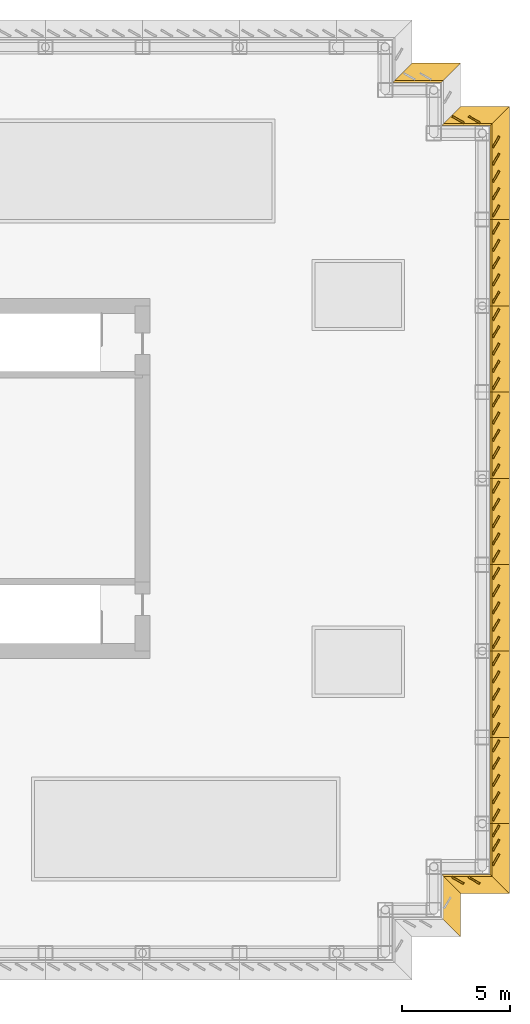
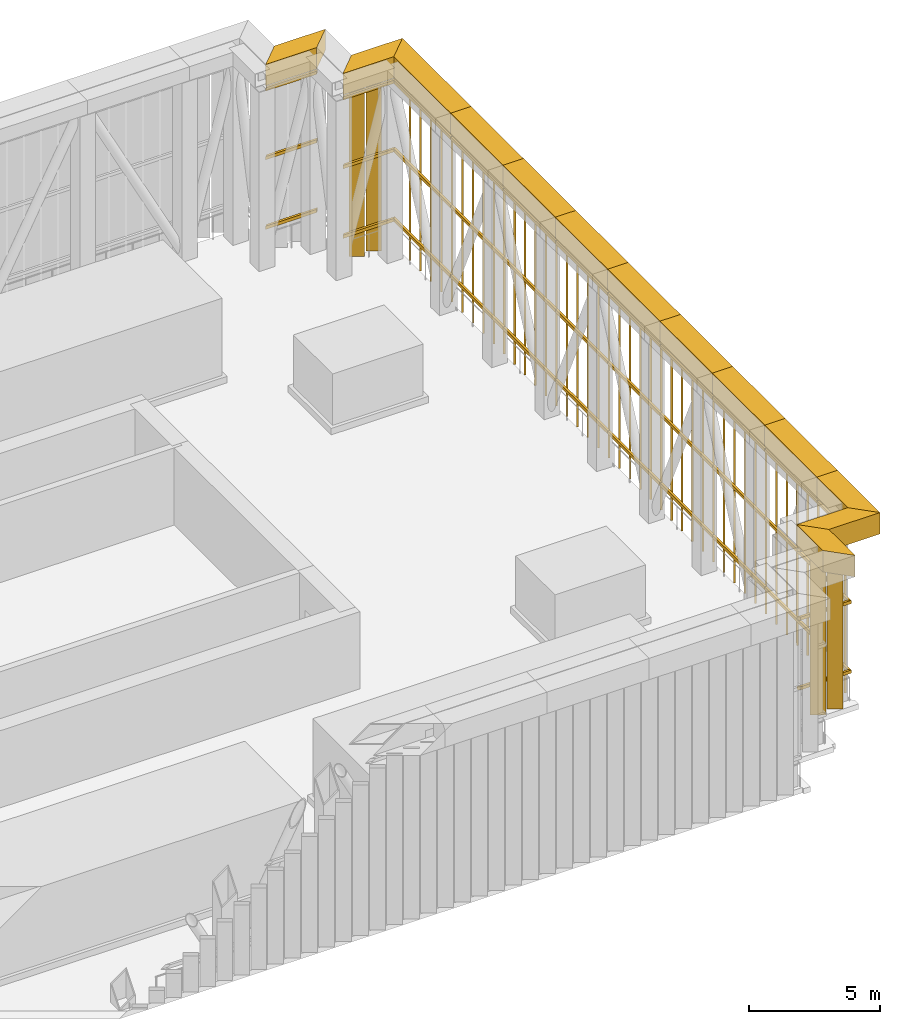
# One storey, part 9 of 11: 36 coverings.
"""IFC4 building model written with IfcOpenShell, lengths in metres."""

from ifc_helpers import new_model, si_unit, direction, frame, origin, place, context, subcontext, project, spatial, polyline, outline, extrude, material, layer, layer_set, type_object, element, save


model = new_model("IFC4")

# Units and contexts
model_context = context("Model", 3, precision=1e-05, world=origin(), true_north=direction((0.0, 1.0)))
body_context = subcontext(model_context, "Body", "Model", "MODEL_VIEW")
ifc_project = project(units=[si_unit("LENGTHUNIT", "METRE"), si_unit("AREAUNIT", "SQUARE_METRE"), si_unit("VOLUMEUNIT", "CUBIC_METRE"), si_unit("PLANEANGLEUNIT", "RADIAN"), si_unit("MASSUNIT", "GRAM", prefix="KILO")], contexts=[model_context])

# Site, building, storey
site_placement = place(None, origin())
site = spatial("IfcSite", under=ifc_project, at=site_placement, CompositionType="ELEMENT")
building_placement = place(site_placement, origin())
building = spatial("IfcBuilding", under=site, at=building_placement, Name="Rheinbord Bourse Tower", CompositionType="ELEMENT")
storey_placement = place(building_placement, frame((0.0, 0.0, 334.10009765625)))
storey = spatial("IfcBuildingStorey", under=building, at=storey_placement, Name="RF", CompositionType="ELEMENT", Elevation=334.10009765625)

# Coverings
ifc_material_1 = material(Name="Black aluminium coping on a steel frame", Category="steel")
ifc_layer_1 = layer(ifc_material_1, 1.0)
ifc_layer_set_1 = layer_set([ifc_layer_1], Name="CROWN CAP 900x1000")
covering_type_1 = type_object("IfcCoveringType", Name="CROWN CAP 900x1000", PredefinedType="USERDEFINED", material=ifc_layer_set_1)
covering_1_placement = place(storey_placement, frame((0.0, 0.0, 8.0)))
element("IfcCovering", 1, at=covering_1_placement, inside=storey, type_object=covering_type_1, Name="Crown cap SE-C-SE-B", ObjectType="COPING", PredefinedType="USERDEFINED", context=body_context, shape_type="SweptSolid", body=[
    extrude(outline(polyline([(67.85009765625, 3.64990234375), (67.85009765625, 5.64990234375), (68.75, 4.75), (68.75, 2.75), (67.85009765625, 3.64990234375)])), origin(), (0.0, 0.0, 1.0), 1.0),
])
covering_2_placement = place(storey_placement, frame((0.0, 0.0, 8.0)))
element("IfcCovering", 2, at=covering_2_placement, inside=storey, type_object=covering_type_1, Name="Crown cap SE-B-SE-A", ObjectType="COPING", PredefinedType="USERDEFINED", context=body_context, shape_type="SweptSolid", body=[
    extrude(outline(polyline([(67.85009765625, 5.64990234375), (70.10009765625, 5.64990234375), (71.0, 4.75), (68.75, 4.75), (67.85009765625, 5.64990234375)])), origin(), (0.0, 0.0, 1.0), 1.0),
])
covering_3_placement = place(storey_placement, frame((0.0, 0.0, 8.0)))
element("IfcCovering", 3, at=covering_3_placement, inside=storey, type_object=covering_type_1, Name="Crown cap SE-A-E-8", ObjectType="COPING", PredefinedType="USERDEFINED", context=body_context, shape_type="SweptSolid", body=[
    extrude(outline(polyline([(70.10009765625, 5.64990234375), (70.10009765625, 8.0), (71.0, 8.0), (71.0, 4.75), (70.10009765625, 5.64990234375)])), origin(), (0.0, 0.0, 1.0), 1.0),
])
covering_4_placement = place(storey_placement, frame((0.0, 0.0, 8.0)))
element("IfcCovering", 4, at=covering_4_placement, inside=storey, type_object=covering_type_1, Name="Crown cap E-8-E-12", ObjectType="COPING", PredefinedType="USERDEFINED", context=body_context, shape_type="SweptSolid", body=[
    extrude(outline(polyline([(70.10009765625, 8.0), (70.10009765625, 12.0), (71.0, 12.0), (71.0, 8.0), (70.10009765625, 8.0)])), origin(), (0.0, 0.0, 1.0), 1.0),
])
covering_5_placement = place(storey_placement, frame((0.0, 0.0, 8.0)))
element("IfcCovering", 5, at=covering_5_placement, inside=storey, type_object=covering_type_1, Name="Crown cap E-12-E-16", ObjectType="COPING", PredefinedType="USERDEFINED", context=body_context, shape_type="SweptSolid", body=[
    extrude(outline(polyline([(70.10009765625, 12.0), (70.10009765625, 16.0), (71.0, 16.0), (71.0, 12.0), (70.10009765625, 12.0)])), origin(), (0.0, 0.0, 1.0), 1.0),
])
covering_6_placement = place(storey_placement, frame((0.0, 0.0, 8.0)))
element("IfcCovering", 6, at=covering_6_placement, inside=storey, type_object=covering_type_1, Name="Crown cap E-16-E-20", ObjectType="COPING", PredefinedType="USERDEFINED", context=body_context, shape_type="SweptSolid", body=[
    extrude(outline(polyline([(70.10009765625, 16.0), (70.10009765625, 20.0), (71.0, 20.0), (71.0, 16.0), (70.10009765625, 16.0)])), origin(), (0.0, 0.0, 1.0), 1.0),
])
covering_7_placement = place(storey_placement, frame((0.0, 0.0, 8.0)))
element("IfcCovering", 7, at=covering_7_placement, inside=storey, type_object=covering_type_1, Name="Crown cap E-20-E-24", ObjectType="COPING", PredefinedType="USERDEFINED", context=body_context, shape_type="SweptSolid", body=[
    extrude(outline(polyline([(70.10009765625, 20.0), (70.10009765625, 24.0), (71.0, 24.0), (71.0, 20.0), (70.10009765625, 20.0)])), origin(), (0.0, 0.0, 1.0), 1.0),
])
covering_8_placement = place(storey_placement, frame((0.0, 0.0, 8.0)))
element("IfcCovering", 8, at=covering_8_placement, inside=storey, type_object=covering_type_1, Name="Crown cap E-24-E-28", ObjectType="COPING", PredefinedType="USERDEFINED", context=body_context, shape_type="SweptSolid", body=[
    extrude(outline(polyline([(70.10009765625, 24.0), (70.10009765625, 28.0), (71.0, 28.0), (71.0, 24.0), (70.10009765625, 24.0)])), origin(), (0.0, 0.0, 1.0), 1.0),
])
covering_9_placement = place(storey_placement, frame((0.0, 0.0, 8.0)))
element("IfcCovering", 9, at=covering_9_placement, inside=storey, type_object=covering_type_1, Name="Crown cap E-28-E-32", ObjectType="COPING", PredefinedType="USERDEFINED", context=body_context, shape_type="SweptSolid", body=[
    extrude(outline(polyline([(70.10009765625, 28.0), (70.10009765625, 32.0), (71.0, 32.0), (71.0, 28.0), (70.10009765625, 28.0)])), origin(), (0.0, 0.0, 1.0), 1.0),
])
covering_10_placement = place(storey_placement, frame((0.0, 0.0, 8.0)))
element("IfcCovering", 10, at=covering_10_placement, inside=storey, type_object=covering_type_1, Name="Crown cap E-32-E-36", ObjectType="COPING", PredefinedType="USERDEFINED", context=body_context, shape_type="SweptSolid", body=[
    extrude(outline(polyline([(70.10009765625, 32.0), (70.10009765625, 36.0), (71.0, 36.0), (71.0, 32.0), (70.10009765625, 32.0)])), origin(), (0.0, 0.0, 1.0), 1.0),
])
covering_11_placement = place(storey_placement, frame((0.0, 0.0, 8.0)))
element("IfcCovering", 11, at=covering_11_placement, inside=storey, type_object=covering_type_1, Name="Crown cap E-36-NE-A", ObjectType="COPING", PredefinedType="USERDEFINED", context=body_context, shape_type="SweptSolid", body=[
    extrude(outline(polyline([(70.10009765625, 36.0), (70.10009765625, 40.35009765625), (71.0, 41.25), (71.0, 36.0), (70.10009765625, 36.0)])), origin(), (0.0, 0.0, 1.0), 1.0),
])
covering_12_placement = place(storey_placement, frame((0.0, 0.0, 8.0)))
element("IfcCovering", 12, at=covering_12_placement, inside=storey, type_object=covering_type_1, Name="Crown cap NE-A-NE-B", ObjectType="COPING", PredefinedType="USERDEFINED", context=body_context, shape_type="SweptSolid", body=[
    extrude(outline(polyline([(70.10009765625, 40.35009765625), (67.85009765625, 40.35009765625), (68.75, 41.25), (71.0, 41.25), (70.10009765625, 40.35009765625)])), origin(), (0.0, 0.0, 1.0), 1.0),
])
covering_13_placement = place(storey_placement, frame((0.0, 0.0, 8.0)))
element("IfcCovering", 13, at=covering_13_placement, inside=storey, type_object=covering_type_1, Name="Crown cap NE-C-NE-D", ObjectType="COPING", PredefinedType="USERDEFINED", context=body_context, shape_type="SweptSolid", body=[
    extrude(outline(polyline([(67.85009765625, 42.35009765625), (65.60009765625, 42.35009765625), (66.5, 43.25), (68.75, 43.25), (67.85009765625, 42.35009765625)])), origin(), (0.0, 0.0, 1.0), 1.0),
])
ifc_material_2 = material(Name="Black anodised aluminium", Category="aluminium")
ifc_layer_2 = layer(ifc_material_2, 0.080078125)
ifc_layer_set_2 = layer_set([ifc_layer_2], Name="CROWN SCREEN BLADE 600x80")
covering_type_2 = type_object("IfcCoveringType", Name="CROWN SCREEN BLADE 600x80", PredefinedType="USERDEFINED", material=ifc_layer_set_2)
covering_14_placement = place(storey_placement, frame((0.0, 0.0, 0.0498046875)))
element("IfcCovering", 14, at=covering_14_placement, inside=storey, type_object=covering_type_2, Name="Crown screen blades SE-B-SE-A", ObjectType="LOUVRE", PredefinedType="USERDEFINED", context=body_context, shape_type="SweptSolid", body=[
    extrude(outline(polyline([(68.385009765625, 5.550048828125), (68.905029296875, 5.25), (68.864990234375, 5.180908203125), (68.344970703125, 5.48095703125), (68.385009765625, 5.550048828125)])), origin(), (0.0, 0.0, 1.0), 7.9501953125),
    extrude(outline(polyline([(69.135009765625, 5.550048828125), (69.655029296875, 5.25), (69.614990234375, 5.180908203125), (69.094970703125, 5.48095703125), (69.135009765625, 5.550048828125)])), origin(), (0.0, 0.0, 1.0), 7.9501953125),
])
covering_15_placement = place(storey_placement, frame((0.0, 0.0, 0.0498046875)))
element("IfcCovering", 15, at=covering_15_placement, inside=storey, type_object=covering_type_2, Name="Crown screen blades SE-A-E-8", ObjectType="LOUVRE", PredefinedType="USERDEFINED", context=body_context, shape_type="SweptSolid", body=[
    extrude(outline(polyline([(70.199951171875, 6.093994140625), (70.5, 6.613037109375), (70.569091796875, 6.572998046875), (70.26904296875, 6.053955078125), (70.199951171875, 6.093994140625)])), origin(), (0.0, 0.0, 1.0), 7.9501953125),
    extrude(outline(polyline([(70.199951171875, 6.760009765625), (70.5, 7.280029296875), (70.569091796875, 7.239990234375), (70.26904296875, 6.719970703125), (70.199951171875, 6.760009765625)])), origin(), (0.0, 0.0, 1.0), 7.9501953125),
    extrude(outline(polyline([(70.199951171875, 7.427001953125), (70.5, 7.946044921875), (70.569091796875, 7.906005859375), (70.26904296875, 7.386962890625), (70.199951171875, 7.427001953125)])), origin(), (0.0, 0.0, 1.0), 7.9501953125),
])
covering_16_placement = place(storey_placement, frame((0.0, 0.0, 0.0498046875)))
element("IfcCovering", 16, at=covering_16_placement, inside=storey, type_object=covering_type_2, Name="Crown screen blades E-8-E-12", ObjectType="LOUVRE", PredefinedType="USERDEFINED", context=body_context, shape_type="SweptSolid", body=[
    extrude(outline(polyline([(70.199951171875, 8.159912109375), (70.5, 8.679931640625), (70.569091796875, 8.639892578125), (70.26904296875, 8.1201171875), (70.199951171875, 8.159912109375)])), origin(), (0.0, 0.0, 1.0), 7.9501953125),
    extrude(outline(polyline([(70.199951171875, 8.9599609375), (70.5, 9.47998046875), (70.569091796875, 9.43994140625), (70.26904296875, 8.919921875), (70.199951171875, 8.9599609375)])), origin(), (0.0, 0.0, 1.0), 7.9501953125),
    extrude(outline(polyline([(70.199951171875, 9.760009765625), (70.5, 10.280029296875), (70.569091796875, 10.239990234375), (70.26904296875, 9.719970703125), (70.199951171875, 9.760009765625)])), origin(), (0.0, 0.0, 1.0), 7.9501953125),
    extrude(outline(polyline([(70.199951171875, 10.56005859375), (70.5, 11.080078125), (70.569091796875, 11.0400390625), (70.26904296875, 10.52001953125), (70.199951171875, 10.56005859375)])), origin(), (0.0, 0.0, 1.0), 7.9501953125),
    extrude(outline(polyline([(70.199951171875, 11.360107421875), (70.5, 11.8798828125), (70.569091796875, 11.840087890625), (70.26904296875, 11.320068359375), (70.199951171875, 11.360107421875)])), origin(), (0.0, 0.0, 1.0), 7.9501953125),
])
covering_17_placement = place(storey_placement, frame((0.0, 0.0, 0.0498046875)))
element("IfcCovering", 17, at=covering_17_placement, inside=storey, type_object=covering_type_2, Name="Crown screen blades E-12-E-16", ObjectType="LOUVRE", PredefinedType="USERDEFINED", context=body_context, shape_type="SweptSolid", body=[
    extrude(outline(polyline([(70.199951171875, 12.159912109375), (70.5, 12.679931640625), (70.569091796875, 12.639892578125), (70.26904296875, 12.1201171875), (70.199951171875, 12.159912109375)])), origin(), (0.0, 0.0, 1.0), 7.9501953125),
    extrude(outline(polyline([(70.199951171875, 12.9599609375), (70.5, 13.47998046875), (70.569091796875, 13.43994140625), (70.26904296875, 12.919921875), (70.199951171875, 12.9599609375)])), origin(), (0.0, 0.0, 1.0), 7.9501953125),
    extrude(outline(polyline([(70.199951171875, 13.760009765625), (70.5, 14.280029296875), (70.569091796875, 14.239990234375), (70.26904296875, 13.719970703125), (70.199951171875, 13.760009765625)])), origin(), (0.0, 0.0, 1.0), 7.9501953125),
    extrude(outline(polyline([(70.199951171875, 14.56005859375), (70.5, 15.080078125), (70.569091796875, 15.0400390625), (70.26904296875, 14.52001953125), (70.199951171875, 14.56005859375)])), origin(), (0.0, 0.0, 1.0), 7.9501953125),
    extrude(outline(polyline([(70.199951171875, 15.360107421875), (70.5, 15.8798828125), (70.569091796875, 15.840087890625), (70.26904296875, 15.320068359375), (70.199951171875, 15.360107421875)])), origin(), (0.0, 0.0, 1.0), 7.9501953125),
])
covering_18_placement = place(storey_placement, frame((0.0, 0.0, 0.0498046875)))
element("IfcCovering", 18, at=covering_18_placement, inside=storey, type_object=covering_type_2, Name="Crown screen blades E-16-E-20", ObjectType="LOUVRE", PredefinedType="USERDEFINED", context=body_context, shape_type="SweptSolid", body=[
    extrude(outline(polyline([(70.199951171875, 16.159912109375), (70.5, 16.679931640625), (70.569091796875, 16.639892578125), (70.26904296875, 16.1201171875), (70.199951171875, 16.159912109375)])), origin(), (0.0, 0.0, 1.0), 7.9501953125),
    extrude(outline(polyline([(70.199951171875, 16.9599609375), (70.5, 17.47998046875), (70.569091796875, 17.43994140625), (70.26904296875, 16.919921875), (70.199951171875, 16.9599609375)])), origin(), (0.0, 0.0, 1.0), 7.9501953125),
    extrude(outline(polyline([(70.199951171875, 17.760009765625), (70.5, 18.280029296875), (70.569091796875, 18.239990234375), (70.26904296875, 17.719970703125), (70.199951171875, 17.760009765625)])), origin(), (0.0, 0.0, 1.0), 7.9501953125),
    extrude(outline(polyline([(70.199951171875, 18.56005859375), (70.5, 19.080078125), (70.569091796875, 19.0400390625), (70.26904296875, 18.52001953125), (70.199951171875, 18.56005859375)])), origin(), (0.0, 0.0, 1.0), 7.9501953125),
    extrude(outline(polyline([(70.199951171875, 19.360107421875), (70.5, 19.8798828125), (70.569091796875, 19.840087890625), (70.26904296875, 19.320068359375), (70.199951171875, 19.360107421875)])), origin(), (0.0, 0.0, 1.0), 7.9501953125),
])
covering_19_placement = place(storey_placement, frame((0.0, 0.0, 0.0498046875)))
element("IfcCovering", 19, at=covering_19_placement, inside=storey, type_object=covering_type_2, Name="Crown screen blades E-20-E-24", ObjectType="LOUVRE", PredefinedType="USERDEFINED", context=body_context, shape_type="SweptSolid", body=[
    extrude(outline(polyline([(70.199951171875, 20.159912109375), (70.5, 20.679931640625), (70.569091796875, 20.639892578125), (70.26904296875, 20.1201171875), (70.199951171875, 20.159912109375)])), origin(), (0.0, 0.0, 1.0), 7.9501953125),
    extrude(outline(polyline([(70.199951171875, 20.9599609375), (70.5, 21.47998046875), (70.569091796875, 21.43994140625), (70.26904296875, 20.919921875), (70.199951171875, 20.9599609375)])), origin(), (0.0, 0.0, 1.0), 7.9501953125),
    extrude(outline(polyline([(70.199951171875, 21.760009765625), (70.5, 22.280029296875), (70.569091796875, 22.239990234375), (70.26904296875, 21.719970703125), (70.199951171875, 21.760009765625)])), origin(), (0.0, 0.0, 1.0), 7.9501953125),
    extrude(outline(polyline([(70.199951171875, 22.56005859375), (70.5, 23.080078125), (70.569091796875, 23.0400390625), (70.26904296875, 22.52001953125), (70.199951171875, 22.56005859375)])), origin(), (0.0, 0.0, 1.0), 7.9501953125),
    extrude(outline(polyline([(70.199951171875, 23.360107421875), (70.5, 23.8798828125), (70.569091796875, 23.840087890625), (70.26904296875, 23.320068359375), (70.199951171875, 23.360107421875)])), origin(), (0.0, 0.0, 1.0), 7.9501953125),
])
covering_20_placement = place(storey_placement, frame((0.0, 0.0, 0.0498046875)))
element("IfcCovering", 20, at=covering_20_placement, inside=storey, type_object=covering_type_2, Name="Crown screen blades E-24-E-28", ObjectType="LOUVRE", PredefinedType="USERDEFINED", context=body_context, shape_type="SweptSolid", body=[
    extrude(outline(polyline([(70.199951171875, 24.159912109375), (70.5, 24.679931640625), (70.569091796875, 24.639892578125), (70.26904296875, 24.1201171875), (70.199951171875, 24.159912109375)])), origin(), (0.0, 0.0, 1.0), 7.9501953125),
    extrude(outline(polyline([(70.199951171875, 24.9599609375), (70.5, 25.47998046875), (70.569091796875, 25.43994140625), (70.26904296875, 24.919921875), (70.199951171875, 24.9599609375)])), origin(), (0.0, 0.0, 1.0), 7.9501953125),
    extrude(outline(polyline([(70.199951171875, 25.760009765625), (70.5, 26.280029296875), (70.569091796875, 26.239990234375), (70.26904296875, 25.719970703125), (70.199951171875, 25.760009765625)])), origin(), (0.0, 0.0, 1.0), 7.9501953125),
    extrude(outline(polyline([(70.199951171875, 26.56005859375), (70.5, 27.080078125), (70.569091796875, 27.0400390625), (70.26904296875, 26.52001953125), (70.199951171875, 26.56005859375)])), origin(), (0.0, 0.0, 1.0), 7.9501953125),
    extrude(outline(polyline([(70.199951171875, 27.360107421875), (70.5, 27.8798828125), (70.569091796875, 27.840087890625), (70.26904296875, 27.320068359375), (70.199951171875, 27.360107421875)])), origin(), (0.0, 0.0, 1.0), 7.9501953125),
])
covering_21_placement = place(storey_placement, frame((0.0, 0.0, 0.0498046875)))
element("IfcCovering", 21, at=covering_21_placement, inside=storey, type_object=covering_type_2, Name="Crown screen blades E-28-E-32", ObjectType="LOUVRE", PredefinedType="USERDEFINED", context=body_context, shape_type="SweptSolid", body=[
    extrude(outline(polyline([(70.199951171875, 28.159912109375), (70.5, 28.679931640625), (70.569091796875, 28.639892578125), (70.26904296875, 28.1201171875), (70.199951171875, 28.159912109375)])), origin(), (0.0, 0.0, 1.0), 7.9501953125),
    extrude(outline(polyline([(70.199951171875, 28.9599609375), (70.5, 29.47998046875), (70.569091796875, 29.43994140625), (70.26904296875, 28.919921875), (70.199951171875, 28.9599609375)])), origin(), (0.0, 0.0, 1.0), 7.9501953125),
    extrude(outline(polyline([(70.199951171875, 29.760009765625), (70.5, 30.280029296875), (70.569091796875, 30.239990234375), (70.26904296875, 29.719970703125), (70.199951171875, 29.760009765625)])), origin(), (0.0, 0.0, 1.0), 7.9501953125),
    extrude(outline(polyline([(70.199951171875, 30.56005859375), (70.5, 31.080078125), (70.569091796875, 31.0400390625), (70.26904296875, 30.52001953125), (70.199951171875, 30.56005859375)])), origin(), (0.0, 0.0, 1.0), 7.9501953125),
    extrude(outline(polyline([(70.199951171875, 31.360107421875), (70.5, 31.8798828125), (70.569091796875, 31.840087890625), (70.26904296875, 31.320068359375), (70.199951171875, 31.360107421875)])), origin(), (0.0, 0.0, 1.0), 7.9501953125),
])
covering_22_placement = place(storey_placement, frame((0.0, 0.0, 0.0498046875)))
element("IfcCovering", 22, at=covering_22_placement, inside=storey, type_object=covering_type_2, Name="Crown screen blades E-32-E-36", ObjectType="LOUVRE", PredefinedType="USERDEFINED", context=body_context, shape_type="SweptSolid", body=[
    extrude(outline(polyline([(70.199951171875, 32.159912109375), (70.5, 32.679931640625), (70.569091796875, 32.639892578125), (70.26904296875, 32.1201171875), (70.199951171875, 32.159912109375)])), origin(), (0.0, 0.0, 1.0), 7.9501953125),
    extrude(outline(polyline([(70.199951171875, 32.9599609375), (70.5, 33.47998046875), (70.569091796875, 33.43994140625), (70.26904296875, 32.919921875), (70.199951171875, 32.9599609375)])), origin(), (0.0, 0.0, 1.0), 7.9501953125),
    extrude(outline(polyline([(70.199951171875, 33.760009765625), (70.5, 34.280029296875), (70.569091796875, 34.239990234375), (70.26904296875, 33.719970703125), (70.199951171875, 33.760009765625)])), origin(), (0.0, 0.0, 1.0), 7.9501953125),
    extrude(outline(polyline([(70.199951171875, 34.56005859375), (70.5, 35.080078125), (70.569091796875, 35.0400390625), (70.26904296875, 34.52001953125), (70.199951171875, 34.56005859375)])), origin(), (0.0, 0.0, 1.0), 7.9501953125),
    extrude(outline(polyline([(70.199951171875, 35.360107421875), (70.5, 35.8798828125), (70.569091796875, 35.840087890625), (70.26904296875, 35.320068359375), (70.199951171875, 35.360107421875)])), origin(), (0.0, 0.0, 1.0), 7.9501953125),
])
covering_23_placement = place(storey_placement, frame((0.0, 0.0, 0.0498046875)))
element("IfcCovering", 23, at=covering_23_placement, inside=storey, type_object=covering_type_2, Name="Crown screen blades E-36-NE-A", ObjectType="LOUVRE", PredefinedType="USERDEFINED", context=body_context, shape_type="SweptSolid", body=[
    extrude(outline(polyline([(70.199951171875, 36.159912109375), (70.5, 36.679931640625), (70.569091796875, 36.639892578125), (70.26904296875, 36.1201171875), (70.199951171875, 36.159912109375)])), origin(), (0.0, 0.0, 1.0), 7.9501953125),
    extrude(outline(polyline([(70.199951171875, 36.9599609375), (70.5, 37.47998046875), (70.569091796875, 37.43994140625), (70.26904296875, 36.919921875), (70.199951171875, 36.9599609375)])), origin(), (0.0, 0.0, 1.0), 7.9501953125),
    extrude(outline(polyline([(70.199951171875, 37.760009765625), (70.5, 38.280029296875), (70.569091796875, 38.239990234375), (70.26904296875, 37.719970703125), (70.199951171875, 37.760009765625)])), origin(), (0.0, 0.0, 1.0), 7.9501953125),
    extrude(outline(polyline([(70.199951171875, 38.56005859375), (70.5, 39.080078125), (70.569091796875, 39.0400390625), (70.26904296875, 38.52001953125), (70.199951171875, 38.56005859375)])), origin(), (0.0, 0.0, 1.0), 7.9501953125),
    extrude(outline(polyline([(70.199951171875, 39.360107421875), (70.5, 39.8798828125), (70.569091796875, 39.840087890625), (70.26904296875, 39.320068359375), (70.199951171875, 39.360107421875)])), origin(), (0.0, 0.0, 1.0), 7.9501953125),
])
covering_24_placement = place(storey_placement, frame((0.0, 0.0, 0.0498046875)))
element("IfcCovering", 24, at=covering_24_placement, inside=storey, type_object=covering_type_2, Name="Crown screen blades NE-A-NE-B", ObjectType="LOUVRE", PredefinedType="USERDEFINED", context=body_context, shape_type="SweptSolid", body=[
    extrude(outline(polyline([(69.614990234375, 40.449951171875), (69.094970703125, 40.75), (69.135009765625, 40.819091796875), (69.655029296875, 40.51904296875), (69.614990234375, 40.449951171875)])), origin(), (0.0, 0.0, 1.0), 7.9501953125),
    extrude(outline(polyline([(68.864990234375, 40.449951171875), (68.344970703125, 40.75), (68.385009765625, 40.819091796875), (68.905029296875, 40.51904296875), (68.864990234375, 40.449951171875)])), origin(), (0.0, 0.0, 1.0), 7.9501953125),
])
ifc_material_3 = material(Name="Black powder-coated steel", Category="steel")
ifc_layer_3 = layer(ifc_material_3, 0.10009765625)
ifc_layer_set_3 = layer_set([ifc_layer_3], Name="CROWN SCREEN RAIL 150x100")
covering_type_3 = type_object("IfcCoveringType", Name="CROWN SCREEN RAIL 150x100", PredefinedType="USERDEFINED", material=ifc_layer_set_3)
covering_25_placement = place(storey_placement, frame((0.0, 0.0, 1.2998046875)))
element("IfcCovering", 25, at=covering_25_placement, inside=storey, type_object=covering_type_3, Name="Crown screen rails SE-B-SE-A", ObjectType="LOUVRE RAIL", PredefinedType="USERDEFINED", context=body_context, shape_type="SweptSolid", body=[
    extrude(outline(polyline([(67.85009765625, 5.64990234375), (70.10009765625, 5.64990234375), (70.199951171875, 5.550048828125), (67.949951171875, 5.550048828125), (67.85009765625, 5.64990234375)])), origin(), (0.0, 0.0, 1.0), 0.150146484375),
    extrude(outline(polyline([(67.85009765625, 5.64990234375), (70.10009765625, 5.64990234375), (70.199951171875, 5.550048828125), (67.949951171875, 5.550048828125), (67.85009765625, 5.64990234375)])), frame((0.0, 0.0, 3.25)), (0.0, 0.0, 1.0), 0.150146484375),
    extrude(outline(polyline([(67.85009765625, 5.64990234375), (70.10009765625, 5.64990234375), (70.199951171875, 5.550048828125), (67.949951171875, 5.550048828125), (67.85009765625, 5.64990234375)])), frame((0.0, 0.0, 6.4501953125)), (0.0, 0.0, 1.0), 0.14990234375),
])
covering_26_placement = place(storey_placement, frame((0.0, 0.0, 1.2998046875)))
element("IfcCovering", 26, at=covering_26_placement, inside=storey, type_object=covering_type_3, Name="Crown screen rails SE-A-E-8", ObjectType="LOUVRE RAIL", PredefinedType="USERDEFINED", context=body_context, shape_type="SweptSolid", body=[
    extrude(outline(polyline([(70.10009765625, 5.64990234375), (70.10009765625, 8.0), (70.199951171875, 8.0), (70.199951171875, 5.550048828125), (70.10009765625, 5.64990234375)])), origin(), (0.0, 0.0, 1.0), 0.150146484375),
    extrude(outline(polyline([(70.10009765625, 5.64990234375), (70.10009765625, 8.0), (70.199951171875, 8.0), (70.199951171875, 5.550048828125), (70.10009765625, 5.64990234375)])), frame((0.0, 0.0, 3.25)), (0.0, 0.0, 1.0), 0.150146484375),
    extrude(outline(polyline([(70.10009765625, 5.64990234375), (70.10009765625, 8.0), (70.199951171875, 8.0), (70.199951171875, 5.550048828125), (70.10009765625, 5.64990234375)])), frame((0.0, 0.0, 6.4501953125)), (0.0, 0.0, 1.0), 0.14990234375),
])
covering_27_placement = place(storey_placement, frame((0.0, 0.0, 1.2998046875)))
element("IfcCovering", 27, at=covering_27_placement, inside=storey, type_object=covering_type_3, Name="Crown screen rails E-8-E-12", ObjectType="LOUVRE RAIL", PredefinedType="USERDEFINED", context=body_context, shape_type="SweptSolid", body=[
    extrude(outline(polyline([(70.10009765625, 8.0), (70.10009765625, 12.0), (70.199951171875, 12.0), (70.199951171875, 8.0), (70.10009765625, 8.0)])), origin(), (0.0, 0.0, 1.0), 0.150146484375),
    extrude(outline(polyline([(70.10009765625, 8.0), (70.10009765625, 12.0), (70.199951171875, 12.0), (70.199951171875, 8.0), (70.10009765625, 8.0)])), frame((0.0, 0.0, 3.25)), (0.0, 0.0, 1.0), 0.150146484375),
    extrude(outline(polyline([(70.10009765625, 8.0), (70.10009765625, 12.0), (70.199951171875, 12.0), (70.199951171875, 8.0), (70.10009765625, 8.0)])), frame((0.0, 0.0, 6.4501953125)), (0.0, 0.0, 1.0), 0.14990234375),
])
covering_28_placement = place(storey_placement, frame((0.0, 0.0, 1.2998046875)))
element("IfcCovering", 28, at=covering_28_placement, inside=storey, type_object=covering_type_3, Name="Crown screen rails E-12-E-16", ObjectType="LOUVRE RAIL", PredefinedType="USERDEFINED", context=body_context, shape_type="SweptSolid", body=[
    extrude(outline(polyline([(70.10009765625, 12.0), (70.10009765625, 16.0), (70.199951171875, 16.0), (70.199951171875, 12.0), (70.10009765625, 12.0)])), origin(), (0.0, 0.0, 1.0), 0.150146484375),
    extrude(outline(polyline([(70.10009765625, 12.0), (70.10009765625, 16.0), (70.199951171875, 16.0), (70.199951171875, 12.0), (70.10009765625, 12.0)])), frame((0.0, 0.0, 3.25)), (0.0, 0.0, 1.0), 0.150146484375),
    extrude(outline(polyline([(70.10009765625, 12.0), (70.10009765625, 16.0), (70.199951171875, 16.0), (70.199951171875, 12.0), (70.10009765625, 12.0)])), frame((0.0, 0.0, 6.4501953125)), (0.0, 0.0, 1.0), 0.14990234375),
])
covering_29_placement = place(storey_placement, frame((0.0, 0.0, 1.2998046875)))
element("IfcCovering", 29, at=covering_29_placement, inside=storey, type_object=covering_type_3, Name="Crown screen rails E-16-E-20", ObjectType="LOUVRE RAIL", PredefinedType="USERDEFINED", context=body_context, shape_type="SweptSolid", body=[
    extrude(outline(polyline([(70.10009765625, 16.0), (70.10009765625, 20.0), (70.199951171875, 20.0), (70.199951171875, 16.0), (70.10009765625, 16.0)])), origin(), (0.0, 0.0, 1.0), 0.150146484375),
    extrude(outline(polyline([(70.10009765625, 16.0), (70.10009765625, 20.0), (70.199951171875, 20.0), (70.199951171875, 16.0), (70.10009765625, 16.0)])), frame((0.0, 0.0, 3.25)), (0.0, 0.0, 1.0), 0.150146484375),
    extrude(outline(polyline([(70.10009765625, 16.0), (70.10009765625, 20.0), (70.199951171875, 20.0), (70.199951171875, 16.0), (70.10009765625, 16.0)])), frame((0.0, 0.0, 6.4501953125)), (0.0, 0.0, 1.0), 0.14990234375),
])
covering_30_placement = place(storey_placement, frame((0.0, 0.0, 1.2998046875)))
element("IfcCovering", 30, at=covering_30_placement, inside=storey, type_object=covering_type_3, Name="Crown screen rails E-20-E-24", ObjectType="LOUVRE RAIL", PredefinedType="USERDEFINED", context=body_context, shape_type="SweptSolid", body=[
    extrude(outline(polyline([(70.10009765625, 20.0), (70.10009765625, 24.0), (70.199951171875, 24.0), (70.199951171875, 20.0), (70.10009765625, 20.0)])), origin(), (0.0, 0.0, 1.0), 0.150146484375),
    extrude(outline(polyline([(70.10009765625, 20.0), (70.10009765625, 24.0), (70.199951171875, 24.0), (70.199951171875, 20.0), (70.10009765625, 20.0)])), frame((0.0, 0.0, 3.25)), (0.0, 0.0, 1.0), 0.150146484375),
    extrude(outline(polyline([(70.10009765625, 20.0), (70.10009765625, 24.0), (70.199951171875, 24.0), (70.199951171875, 20.0), (70.10009765625, 20.0)])), frame((0.0, 0.0, 6.4501953125)), (0.0, 0.0, 1.0), 0.14990234375),
])
covering_31_placement = place(storey_placement, frame((0.0, 0.0, 1.2998046875)))
element("IfcCovering", 31, at=covering_31_placement, inside=storey, type_object=covering_type_3, Name="Crown screen rails E-24-E-28", ObjectType="LOUVRE RAIL", PredefinedType="USERDEFINED", context=body_context, shape_type="SweptSolid", body=[
    extrude(outline(polyline([(70.10009765625, 24.0), (70.10009765625, 28.0), (70.199951171875, 28.0), (70.199951171875, 24.0), (70.10009765625, 24.0)])), origin(), (0.0, 0.0, 1.0), 0.150146484375),
    extrude(outline(polyline([(70.10009765625, 24.0), (70.10009765625, 28.0), (70.199951171875, 28.0), (70.199951171875, 24.0), (70.10009765625, 24.0)])), frame((0.0, 0.0, 3.25)), (0.0, 0.0, 1.0), 0.150146484375),
    extrude(outline(polyline([(70.10009765625, 24.0), (70.10009765625, 28.0), (70.199951171875, 28.0), (70.199951171875, 24.0), (70.10009765625, 24.0)])), frame((0.0, 0.0, 6.4501953125)), (0.0, 0.0, 1.0), 0.14990234375),
])
covering_32_placement = place(storey_placement, frame((0.0, 0.0, 1.2998046875)))
element("IfcCovering", 32, at=covering_32_placement, inside=storey, type_object=covering_type_3, Name="Crown screen rails E-28-E-32", ObjectType="LOUVRE RAIL", PredefinedType="USERDEFINED", context=body_context, shape_type="SweptSolid", body=[
    extrude(outline(polyline([(70.10009765625, 28.0), (70.10009765625, 32.0), (70.199951171875, 32.0), (70.199951171875, 28.0), (70.10009765625, 28.0)])), origin(), (0.0, 0.0, 1.0), 0.150146484375),
    extrude(outline(polyline([(70.10009765625, 28.0), (70.10009765625, 32.0), (70.199951171875, 32.0), (70.199951171875, 28.0), (70.10009765625, 28.0)])), frame((0.0, 0.0, 3.25)), (0.0, 0.0, 1.0), 0.150146484375),
    extrude(outline(polyline([(70.10009765625, 28.0), (70.10009765625, 32.0), (70.199951171875, 32.0), (70.199951171875, 28.0), (70.10009765625, 28.0)])), frame((0.0, 0.0, 6.4501953125)), (0.0, 0.0, 1.0), 0.14990234375),
])
covering_33_placement = place(storey_placement, frame((0.0, 0.0, 1.2998046875)))
element("IfcCovering", 33, at=covering_33_placement, inside=storey, type_object=covering_type_3, Name="Crown screen rails E-32-E-36", ObjectType="LOUVRE RAIL", PredefinedType="USERDEFINED", context=body_context, shape_type="SweptSolid", body=[
    extrude(outline(polyline([(70.10009765625, 32.0), (70.10009765625, 36.0), (70.199951171875, 36.0), (70.199951171875, 32.0), (70.10009765625, 32.0)])), origin(), (0.0, 0.0, 1.0), 0.150146484375),
    extrude(outline(polyline([(70.10009765625, 32.0), (70.10009765625, 36.0), (70.199951171875, 36.0), (70.199951171875, 32.0), (70.10009765625, 32.0)])), frame((0.0, 0.0, 3.25)), (0.0, 0.0, 1.0), 0.150146484375),
    extrude(outline(polyline([(70.10009765625, 32.0), (70.10009765625, 36.0), (70.199951171875, 36.0), (70.199951171875, 32.0), (70.10009765625, 32.0)])), frame((0.0, 0.0, 6.4501953125)), (0.0, 0.0, 1.0), 0.14990234375),
])
covering_34_placement = place(storey_placement, frame((0.0, 0.0, 1.2998046875)))
element("IfcCovering", 34, at=covering_34_placement, inside=storey, type_object=covering_type_3, Name="Crown screen rails E-36-NE-A", ObjectType="LOUVRE RAIL", PredefinedType="USERDEFINED", context=body_context, shape_type="SweptSolid", body=[
    extrude(outline(polyline([(70.10009765625, 36.0), (70.10009765625, 40.35009765625), (70.199951171875, 40.449951171875), (70.199951171875, 36.0), (70.10009765625, 36.0)])), origin(), (0.0, 0.0, 1.0), 0.150146484375),
    extrude(outline(polyline([(70.10009765625, 36.0), (70.10009765625, 40.35009765625), (70.199951171875, 40.449951171875), (70.199951171875, 36.0), (70.10009765625, 36.0)])), frame((0.0, 0.0, 3.25)), (0.0, 0.0, 1.0), 0.150146484375),
    extrude(outline(polyline([(70.10009765625, 36.0), (70.10009765625, 40.35009765625), (70.199951171875, 40.449951171875), (70.199951171875, 36.0), (70.10009765625, 36.0)])), frame((0.0, 0.0, 6.4501953125)), (0.0, 0.0, 1.0), 0.14990234375),
])
covering_35_placement = place(storey_placement, frame((0.0, 0.0, 1.2998046875)))
element("IfcCovering", 35, at=covering_35_placement, inside=storey, type_object=covering_type_3, Name="Crown screen rails NE-A-NE-B", ObjectType="LOUVRE RAIL", PredefinedType="USERDEFINED", context=body_context, shape_type="SweptSolid", body=[
    extrude(outline(polyline([(70.10009765625, 40.35009765625), (67.85009765625, 40.35009765625), (67.949951171875, 40.449951171875), (70.199951171875, 40.449951171875), (70.10009765625, 40.35009765625)])), origin(), (0.0, 0.0, 1.0), 0.150146484375),
    extrude(outline(polyline([(70.10009765625, 40.35009765625), (67.85009765625, 40.35009765625), (67.949951171875, 40.449951171875), (70.199951171875, 40.449951171875), (70.10009765625, 40.35009765625)])), frame((0.0, 0.0, 3.25)), (0.0, 0.0, 1.0), 0.150146484375),
    extrude(outline(polyline([(70.10009765625, 40.35009765625), (67.85009765625, 40.35009765625), (67.949951171875, 40.449951171875), (70.199951171875, 40.449951171875), (70.10009765625, 40.35009765625)])), frame((0.0, 0.0, 6.4501953125)), (0.0, 0.0, 1.0), 0.14990234375),
])
covering_36_placement = place(storey_placement, frame((0.0, 0.0, 1.2998046875)))
element("IfcCovering", 36, at=covering_36_placement, inside=storey, type_object=covering_type_3, Name="Crown screen rails NE-C-NE-D", ObjectType="LOUVRE RAIL", PredefinedType="USERDEFINED", context=body_context, shape_type="SweptSolid", body=[
    extrude(outline(polyline([(67.85009765625, 42.35009765625), (65.60009765625, 42.35009765625), (65.699951171875, 42.449951171875), (67.949951171875, 42.449951171875), (67.85009765625, 42.35009765625)])), origin(), (0.0, 0.0, 1.0), 0.150146484375),
    extrude(outline(polyline([(67.85009765625, 42.35009765625), (65.60009765625, 42.35009765625), (65.699951171875, 42.449951171875), (67.949951171875, 42.449951171875), (67.85009765625, 42.35009765625)])), frame((0.0, 0.0, 3.25)), (0.0, 0.0, 1.0), 0.150146484375),
    extrude(outline(polyline([(67.85009765625, 42.35009765625), (65.60009765625, 42.35009765625), (65.699951171875, 42.449951171875), (67.949951171875, 42.449951171875), (67.85009765625, 42.35009765625)])), frame((0.0, 0.0, 6.4501953125)), (0.0, 0.0, 1.0), 0.14990234375),
])

save(model, "model.ifc")
